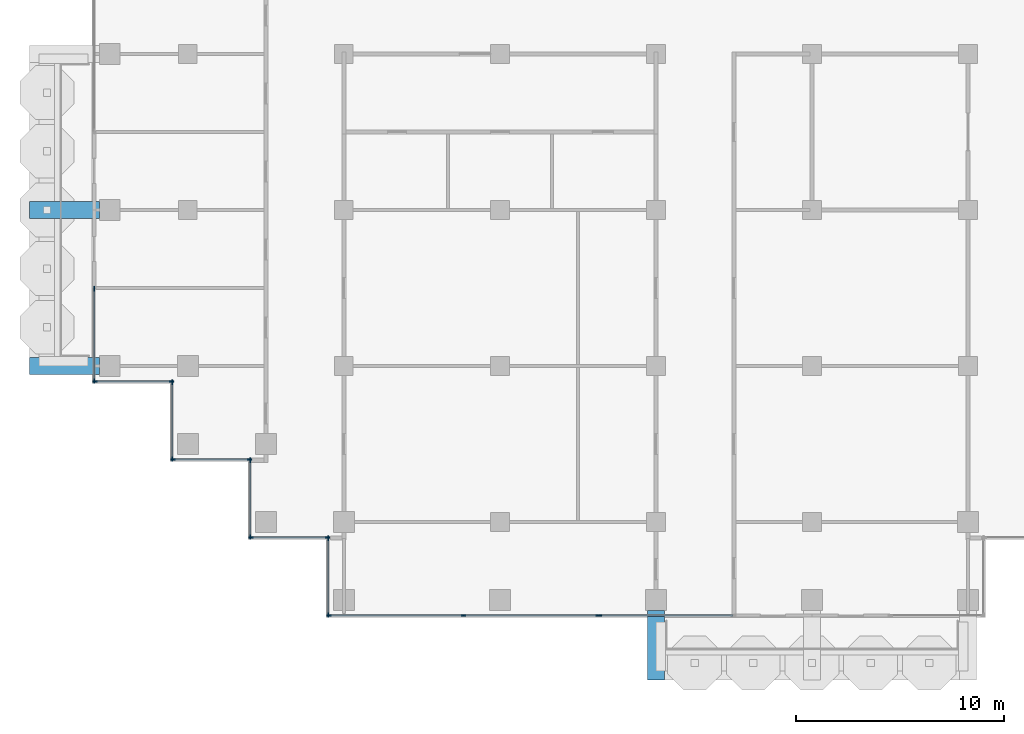
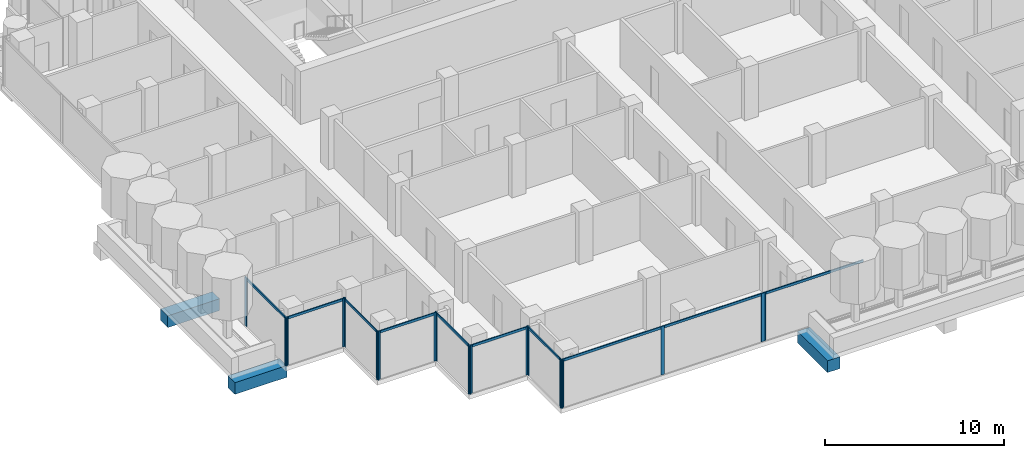
# One storey, part 2 of 19: 28 members, 3 beams, 9 elements without a shape of their own.
"""IFC4 building model written with IfcOpenShell, lengths in metres."""

from ifc_helpers import new_model, si_unit, direction, frame, origin, origin_2d, place, context, subcontext, project, spatial, rectangle, extrude, material, material_profile, profile_set, type_object, element, aggregate, save


model = new_model("IFC4")

# Units and contexts
model_context = context("Model", 3, precision=1e-05, world=origin(), true_north=direction((0.0, 1.0)))
body_context = subcontext(model_context, "Body", "Model", "MODEL_VIEW")
ifc_project = project(units=[si_unit("LENGTHUNIT", "METRE"), si_unit("AREAUNIT", "SQUARE_METRE"), si_unit("VOLUMEUNIT", "CUBIC_METRE"), si_unit("PLANEANGLEUNIT", "RADIAN"), si_unit("MASSUNIT", "GRAM", prefix="KILO")], contexts=[model_context])

# Site, building, storey
site_placement = place(None, origin())
site = spatial("IfcSite", under=ifc_project, at=site_placement, CompositionType="ELEMENT")
building_placement = place(site_placement, origin())
building = spatial("IfcBuilding", under=site, at=building_placement, Name="Pilkhan Gate Tower", CompositionType="ELEMENT")
storey_placement = place(building_placement, frame((0.0, 0.0, 224.699951171875)))
storey = spatial("IfcBuildingStorey", under=building, at=storey_placement, Name="L58", CompositionType="ELEMENT", Elevation=224.699951171875)

# Beams
ifc_material_1 = material(Name="Concrete C50/60", Category="concrete")
ifc_material_profile_1 = material_profile(ifc_material_1, rectangle(XDim=0.800048828125, YDim=0.800048828125, at=origin_2d()), Name="RC 800x800")
ifc_profile_set_1 = profile_set([ifc_material_profile_1], Name="Concrete C50/60")
beam_type = type_object("IfcBeamType", Name="Cantilever beam CB2 RC 800x800 C50/60", PredefinedType="BEAM", material=ifc_profile_set_1)
for number, where, z_axis, x_axis, name in (
    (1, (75.0, 40.75, -0.699951171875), (0.0, -1.0, 0.0), (1.0, 0.0, 0.0), "Balcony beam S.1 L58"),
    (2, (48.25, 52.5, -0.699951171875), (-1.0, 0.0, 0.0), (0.0, -1.0, 0.0), "Balcony beam W.1 L58"),
    (3, (48.25, 60.0, -0.699951171875), (-1.0, 0.0, 0.0), (0.0, -1.0, 0.0), "Balcony beam W.2 L58"),
):
    element("IfcBeam", number, at=place(storey_placement, frame(where, z_axis=z_axis, x_axis=x_axis)), inside=storey, type_object=beam_type, Name=name, PredefinedType="BEAM", context=body_context, shape_type="SweptSolid", body=[
        extrude(rectangle(XDim=0.800048828125, YDim=0.800048828125, at=origin_2d()), origin(), (0.0, 0.0, 1.0), 3.35009765625),
    ])

# Curtain wall, members
ifc_material_2 = material(Name="Pale anodised aluminium, clear low-iron double glazing", Category="aluminium")
curtain_wall_type = type_object("IfcCurtainWallType", Name="Office unitised curtain wall CW-O2", PredefinedType="USERDEFINED", material=ifc_material_2)
curtain_wall_1_placement = place(storey_placement, origin())
curtain_wall_1 = element("IfcCurtainWall", 4, at=curtain_wall_1_placement, inside=storey, type_object=curtain_wall_type, Name="Office unitised curtain wall CW-O2 L58 W", ObjectType="UNITISED CURTAIN WALL", PredefinedType="USERDEFINED")
ifc_material_3 = material(Name="Pale anodised aluminium", Category="aluminium")
ifc_material_profile_2 = material_profile(ifc_material_3, rectangle(XDim=0.06494140625, YDim=0.22509765625, at=origin_2d()), Name="Mullion 225x65")
ifc_profile_set_2 = profile_set([ifc_material_profile_2], Name="Pale anodised aluminium")
member_type_1 = type_object("IfcMemberType", Name="Mullion CW-O2 225x65", PredefinedType="MULLION", material=ifc_profile_set_2)
member_1_placement = place(storey_placement, frame((48.0, 51.782470703125, 0.0), z_axis=(0.0, 0.0, 1.0), x_axis=(-1.0, 0.0, 0.0)))
member_1 = element("IfcMember", 5, at=member_1_placement, type_object=member_type_1, Name="CW-O2 mullion 1", PredefinedType="MULLION", context=body_context, shape_type="SweptSolid", body=[
    extrude(rectangle(XDim=0.06494140625, YDim=0.22509765625, at=origin_2d()), origin(), (0.0, 0.0, 1.0), 3.300048828125),
])
member_2_placement = place(storey_placement, frame((48.0, 56.217529296875, 0.0), z_axis=(0.0, 0.0, 1.0), x_axis=(-1.0, 0.0, 0.0)))
member_2 = element("IfcMember", 6, at=member_2_placement, type_object=member_type_1, Name="CW-O2 mullion 2", PredefinedType="MULLION", context=body_context, shape_type="SweptSolid", body=[
    extrude(rectangle(XDim=0.06494140625, YDim=0.22509765625, at=origin_2d()), origin(), (0.0, 0.0, 1.0), 3.300048828125),
])

curtain_wall_2_placement = place(storey_placement, origin())
curtain_wall_2 = element("IfcCurtainWall", 7, at=curtain_wall_2_placement, inside=storey, type_object=curtain_wall_type, Name="Office unitised curtain wall CW-O2 L58 S", ObjectType="UNITISED CURTAIN WALL", PredefinedType="USERDEFINED")
member_3_placement = place(storey_placement, frame((48.032470703125, 51.75, 0.0), z_axis=(0.0, 0.0, 1.0), x_axis=(0.0, 1.0, 0.0)))
member_3 = element("IfcMember", 8, at=member_3_placement, type_object=member_type_1, Name="CW-O2 mullion 1", PredefinedType="MULLION", context=body_context, shape_type="SweptSolid", body=[
    extrude(rectangle(XDim=0.06494140625, YDim=0.22509765625, at=origin_2d()), origin(), (0.0, 0.0, 1.0), 3.300048828125),
])
member_4_placement = place(storey_placement, frame((51.717529296875, 51.75, 0.0), z_axis=(0.0, 0.0, 1.0), x_axis=(0.0, 1.0, 0.0)))
member_4 = element("IfcMember", 9, at=member_4_placement, type_object=member_type_1, Name="CW-O2 mullion 2", PredefinedType="MULLION", context=body_context, shape_type="SweptSolid", body=[
    extrude(rectangle(XDim=0.06494140625, YDim=0.22509765625, at=origin_2d()), origin(), (0.0, 0.0, 1.0), 3.300048828125),
])

curtain_wall_3_placement = place(storey_placement, origin())
curtain_wall_3 = element("IfcCurtainWall", 10, at=curtain_wall_3_placement, inside=storey, type_object=curtain_wall_type, Name="Office unitised curtain wall CW-O2 L58 W", ObjectType="UNITISED CURTAIN WALL", PredefinedType="USERDEFINED")
member_5_placement = place(storey_placement, frame((51.75, 48.032470703125, 0.0), z_axis=(0.0, 0.0, 1.0), x_axis=(-1.0, 0.0, 0.0)))
member_5 = element("IfcMember", 11, at=member_5_placement, type_object=member_type_1, Name="CW-O2 mullion 1", PredefinedType="MULLION", context=body_context, shape_type="SweptSolid", body=[
    extrude(rectangle(XDim=0.06494140625, YDim=0.22509765625, at=origin_2d()), origin(), (0.0, 0.0, 1.0), 3.300048828125),
])
member_6_placement = place(storey_placement, frame((51.75, 51.717529296875, 0.0), z_axis=(0.0, 0.0, 1.0), x_axis=(-1.0, 0.0, 0.0)))
member_6 = element("IfcMember", 12, at=member_6_placement, type_object=member_type_1, Name="CW-O2 mullion 2", PredefinedType="MULLION", context=body_context, shape_type="SweptSolid", body=[
    extrude(rectangle(XDim=0.06494140625, YDim=0.22509765625, at=origin_2d()), origin(), (0.0, 0.0, 1.0), 3.300048828125),
])

curtain_wall_4_placement = place(storey_placement, origin())
curtain_wall_4 = element("IfcCurtainWall", 13, at=curtain_wall_4_placement, inside=storey, type_object=curtain_wall_type, Name="Office unitised curtain wall CW-O2 L58 S", ObjectType="UNITISED CURTAIN WALL", PredefinedType="USERDEFINED")
member_7_placement = place(storey_placement, frame((51.782470703125, 48.0, 0.0), z_axis=(0.0, 0.0, 1.0), x_axis=(0.0, 1.0, 0.0)))
member_7 = element("IfcMember", 14, at=member_7_placement, type_object=member_type_1, Name="CW-O2 mullion 1", PredefinedType="MULLION", context=body_context, shape_type="SweptSolid", body=[
    extrude(rectangle(XDim=0.06494140625, YDim=0.22509765625, at=origin_2d()), origin(), (0.0, 0.0, 1.0), 3.300048828125),
])
member_8_placement = place(storey_placement, frame((55.467529296875, 48.0, 0.0), z_axis=(0.0, 0.0, 1.0), x_axis=(0.0, 1.0, 0.0)))
member_8 = element("IfcMember", 15, at=member_8_placement, type_object=member_type_1, Name="CW-O2 mullion 2", PredefinedType="MULLION", context=body_context, shape_type="SweptSolid", body=[
    extrude(rectangle(XDim=0.06494140625, YDim=0.22509765625, at=origin_2d()), origin(), (0.0, 0.0, 1.0), 3.300048828125),
])

curtain_wall_5_placement = place(storey_placement, origin())
curtain_wall_5 = element("IfcCurtainWall", 16, at=curtain_wall_5_placement, inside=storey, type_object=curtain_wall_type, Name="Office unitised curtain wall CW-O2 L58 W", ObjectType="UNITISED CURTAIN WALL", PredefinedType="USERDEFINED")
member_9_placement = place(storey_placement, frame((55.5, 44.282470703125, 0.0), z_axis=(0.0, 0.0, 1.0), x_axis=(-1.0, 0.0, 0.0)))
member_9 = element("IfcMember", 17, at=member_9_placement, type_object=member_type_1, Name="CW-O2 mullion 1", PredefinedType="MULLION", context=body_context, shape_type="SweptSolid", body=[
    extrude(rectangle(XDim=0.06494140625, YDim=0.22509765625, at=origin_2d()), origin(), (0.0, 0.0, 1.0), 3.300048828125),
])
member_10_placement = place(storey_placement, frame((55.5, 47.967529296875, 0.0), z_axis=(0.0, 0.0, 1.0), x_axis=(-1.0, 0.0, 0.0)))
member_10 = element("IfcMember", 18, at=member_10_placement, type_object=member_type_1, Name="CW-O2 mullion 2", PredefinedType="MULLION", context=body_context, shape_type="SweptSolid", body=[
    extrude(rectangle(XDim=0.06494140625, YDim=0.22509765625, at=origin_2d()), origin(), (0.0, 0.0, 1.0), 3.300048828125),
])

curtain_wall_6_placement = place(storey_placement, origin())
curtain_wall_6 = element("IfcCurtainWall", 19, at=curtain_wall_6_placement, inside=storey, type_object=curtain_wall_type, Name="Office unitised curtain wall CW-O2 L58 S", ObjectType="UNITISED CURTAIN WALL", PredefinedType="USERDEFINED")
member_11_placement = place(storey_placement, frame((55.532470703125, 44.25, 0.0), z_axis=(0.0, 0.0, 1.0), x_axis=(0.0, 1.0, 0.0)))
member_11 = element("IfcMember", 20, at=member_11_placement, type_object=member_type_1, Name="CW-O2 mullion 1", PredefinedType="MULLION", context=body_context, shape_type="SweptSolid", body=[
    extrude(rectangle(XDim=0.06494140625, YDim=0.22509765625, at=origin_2d()), origin(), (0.0, 0.0, 1.0), 3.300048828125),
])
member_12_placement = place(storey_placement, frame((59.217529296875, 44.25, 0.0), z_axis=(0.0, 0.0, 1.0), x_axis=(0.0, 1.0, 0.0)))
member_12 = element("IfcMember", 21, at=member_12_placement, type_object=member_type_1, Name="CW-O2 mullion 2", PredefinedType="MULLION", context=body_context, shape_type="SweptSolid", body=[
    extrude(rectangle(XDim=0.06494140625, YDim=0.22509765625, at=origin_2d()), origin(), (0.0, 0.0, 1.0), 3.300048828125),
])

curtain_wall_7_placement = place(storey_placement, origin())
curtain_wall_7 = element("IfcCurtainWall", 22, at=curtain_wall_7_placement, inside=storey, type_object=curtain_wall_type, Name="Office unitised curtain wall CW-O2 L58 W", ObjectType="UNITISED CURTAIN WALL", PredefinedType="USERDEFINED")
member_13_placement = place(storey_placement, frame((59.25, 40.532470703125, 0.0), z_axis=(0.0, 0.0, 1.0), x_axis=(-1.0, 0.0, 0.0)))
member_13 = element("IfcMember", 23, at=member_13_placement, type_object=member_type_1, Name="CW-O2 mullion 1", PredefinedType="MULLION", context=body_context, shape_type="SweptSolid", body=[
    extrude(rectangle(XDim=0.06494140625, YDim=0.22509765625, at=origin_2d()), origin(), (0.0, 0.0, 1.0), 3.300048828125),
])
member_14_placement = place(storey_placement, frame((59.25, 44.217529296875, 0.0), z_axis=(0.0, 0.0, 1.0), x_axis=(-1.0, 0.0, 0.0)))
member_14 = element("IfcMember", 24, at=member_14_placement, type_object=member_type_1, Name="CW-O2 mullion 2", PredefinedType="MULLION", context=body_context, shape_type="SweptSolid", body=[
    extrude(rectangle(XDim=0.06494140625, YDim=0.22509765625, at=origin_2d()), origin(), (0.0, 0.0, 1.0), 3.300048828125),
])

curtain_wall_8_placement = place(storey_placement, origin())
curtain_wall_8 = element("IfcCurtainWall", 25, at=curtain_wall_8_placement, inside=storey, type_object=curtain_wall_type, Name="Office unitised curtain wall CW-O2 L58 S", ObjectType="UNITISED CURTAIN WALL", PredefinedType="USERDEFINED")
member_15_placement = place(storey_placement, frame((59.282470703125, 40.5, 0.0), z_axis=(0.0, 0.0, 1.0), x_axis=(0.0, 1.0, 0.0)))
member_15 = element("IfcMember", 26, at=member_15_placement, type_object=member_type_1, Name="CW-O2 mullion 1", PredefinedType="MULLION", context=body_context, shape_type="SweptSolid", body=[
    extrude(rectangle(XDim=0.06494140625, YDim=0.22509765625, at=origin_2d()), origin(), (0.0, 0.0, 1.0), 3.300048828125),
])
member_16_placement = place(storey_placement, frame((65.75, 40.5, 0.0), z_axis=(0.0, 0.0, 1.0), x_axis=(0.0, 1.0, 0.0)))
member_16 = element("IfcMember", 27, at=member_16_placement, type_object=member_type_1, Name="CW-O2 mullion 2", PredefinedType="MULLION", context=body_context, shape_type="SweptSolid", body=[
    extrude(rectangle(XDim=0.06494140625, YDim=0.22509765625, at=origin_2d()), origin(), (0.0, 0.0, 1.0), 3.300048828125),
])
member_17_placement = place(storey_placement, frame((72.217529296875, 40.5, 0.0), z_axis=(0.0, 0.0, 1.0), x_axis=(0.0, 1.0, 0.0)))
member_17 = element("IfcMember", 28, at=member_17_placement, type_object=member_type_1, Name="CW-O2 mullion 3", PredefinedType="MULLION", context=body_context, shape_type="SweptSolid", body=[
    extrude(rectangle(XDim=0.06494140625, YDim=0.22509765625, at=origin_2d()), origin(), (0.0, 0.0, 1.0), 3.300048828125),
])

# Curtain wall, member
curtain_wall_9_placement = place(storey_placement, origin())
curtain_wall_9 = element("IfcCurtainWall", 29, at=curtain_wall_9_placement, inside=storey, type_object=curtain_wall_type, Name="Office unitised curtain wall CW-O2 L58 S", ObjectType="UNITISED CURTAIN WALL", PredefinedType="USERDEFINED")
member_18_placement = place(storey_placement, frame((72.282470703125, 40.5, 0.0), z_axis=(0.0, 0.0, 1.0), x_axis=(0.0, 1.0, 0.0)))
member_18 = element("IfcMember", 30, at=member_18_placement, type_object=member_type_1, Name="CW-O2 mullion 1", PredefinedType="MULLION", context=body_context, shape_type="SweptSolid", body=[
    extrude(rectangle(XDim=0.06494140625, YDim=0.22509765625, at=origin_2d()), origin(), (0.0, 0.0, 1.0), 3.300048828125),
])

# Member
ifc_material_profile_3 = material_profile(ifc_material_3, rectangle(XDim=0.06494140625, YDim=0.1650390625, at=origin_2d()), Name="Transom 165x65")
ifc_profile_set_3 = profile_set([ifc_material_profile_3], Name="Pale anodised aluminium")
member_type_2 = type_object("IfcMemberType", Name="Transom CW-O2 165x65", PredefinedType="USERDEFINED", material=ifc_profile_set_3)
member_19_placement = place(storey_placement, frame((48.0, 51.81494140625, 3.217529296875), z_axis=(0.0, 1.0, 0.0), x_axis=(-1.0, 0.0, 0.0)))
member_19 = element("IfcMember", 31, at=member_19_placement, type_object=member_type_2, Name="CW-O2 transom 1", ObjectType="TRANSOM", PredefinedType="USERDEFINED", context=body_context, shape_type="SweptSolid", body=[
    extrude(rectangle(XDim=0.06494140625, YDim=0.1650390625, at=origin_2d()), origin(), (0.0, 0.0, 1.0), 4.3701171875),
])

aggregate(curtain_wall_1, [member_1, member_2, member_19])

member_20_placement = place(storey_placement, frame((48.06494140625, 51.75, 3.217529296875), z_axis=(1.0, 0.0, 0.0), x_axis=(0.0, 1.0, 0.0)))
member_20 = element("IfcMember", 32, at=member_20_placement, type_object=member_type_2, Name="CW-O2 transom 1", ObjectType="TRANSOM", PredefinedType="USERDEFINED", context=body_context, shape_type="SweptSolid", body=[
    extrude(rectangle(XDim=0.06494140625, YDim=0.1650390625, at=origin_2d()), origin(), (0.0, 0.0, 1.0), 3.6201171875),
])

aggregate(curtain_wall_2, [member_3, member_4, member_20])

member_21_placement = place(storey_placement, frame((51.75, 48.06494140625, 3.217529296875), z_axis=(0.0, 1.0, 0.0), x_axis=(-1.0, 0.0, 0.0)))
member_21 = element("IfcMember", 33, at=member_21_placement, type_object=member_type_2, Name="CW-O2 transom 1", ObjectType="TRANSOM", PredefinedType="USERDEFINED", context=body_context, shape_type="SweptSolid", body=[
    extrude(rectangle(XDim=0.06494140625, YDim=0.1650390625, at=origin_2d()), origin(), (0.0, 0.0, 1.0), 3.6201171875),
])

aggregate(curtain_wall_3, [member_5, member_6, member_21])

member_22_placement = place(storey_placement, frame((51.81494140625, 48.0, 3.217529296875), z_axis=(1.0, 0.0, 0.0), x_axis=(0.0, 1.0, 0.0)))
member_22 = element("IfcMember", 34, at=member_22_placement, type_object=member_type_2, Name="CW-O2 transom 1", ObjectType="TRANSOM", PredefinedType="USERDEFINED", context=body_context, shape_type="SweptSolid", body=[
    extrude(rectangle(XDim=0.06494140625, YDim=0.1650390625, at=origin_2d()), origin(), (0.0, 0.0, 1.0), 3.6201171875),
])

aggregate(curtain_wall_4, [member_7, member_8, member_22])

member_23_placement = place(storey_placement, frame((55.5, 44.31494140625, 3.217529296875), z_axis=(0.0, 1.0, 0.0), x_axis=(-1.0, 0.0, 0.0)))
member_23 = element("IfcMember", 35, at=member_23_placement, type_object=member_type_2, Name="CW-O2 transom 1", ObjectType="TRANSOM", PredefinedType="USERDEFINED", context=body_context, shape_type="SweptSolid", body=[
    extrude(rectangle(XDim=0.06494140625, YDim=0.1650390625, at=origin_2d()), origin(), (0.0, 0.0, 1.0), 3.6201171875),
])

aggregate(curtain_wall_5, [member_9, member_10, member_23])

member_24_placement = place(storey_placement, frame((55.56494140625, 44.25, 3.217529296875), z_axis=(1.0, 0.0, 0.0), x_axis=(0.0, 1.0, 0.0)))
member_24 = element("IfcMember", 36, at=member_24_placement, type_object=member_type_2, Name="CW-O2 transom 1", ObjectType="TRANSOM", PredefinedType="USERDEFINED", context=body_context, shape_type="SweptSolid", body=[
    extrude(rectangle(XDim=0.06494140625, YDim=0.1650390625, at=origin_2d()), origin(), (0.0, 0.0, 1.0), 3.6201171875),
])

aggregate(curtain_wall_6, [member_11, member_12, member_24])

member_25_placement = place(storey_placement, frame((59.25, 40.56494140625, 3.217529296875), z_axis=(0.0, 1.0, 0.0), x_axis=(-1.0, 0.0, 0.0)))
member_25 = element("IfcMember", 37, at=member_25_placement, type_object=member_type_2, Name="CW-O2 transom 1", ObjectType="TRANSOM", PredefinedType="USERDEFINED", context=body_context, shape_type="SweptSolid", body=[
    extrude(rectangle(XDim=0.06494140625, YDim=0.1650390625, at=origin_2d()), origin(), (0.0, 0.0, 1.0), 3.6201171875),
])

aggregate(curtain_wall_7, [member_13, member_14, member_25])

member_26_placement = place(storey_placement, frame((59.31494140625, 40.5, 3.217529296875), z_axis=(1.0, 0.0, 0.0), x_axis=(0.0, 1.0, 0.0)))
member_26 = element("IfcMember", 38, at=member_26_placement, type_object=member_type_2, Name="CW-O2 transom 1", ObjectType="TRANSOM", PredefinedType="USERDEFINED", context=body_context, shape_type="SweptSolid", body=[
    extrude(rectangle(XDim=0.06494140625, YDim=0.1650390625, at=origin_2d()), origin(), (0.0, 0.0, 1.0), 6.402587890625),
])

member_27_placement = place(storey_placement, frame((65.782470703125, 40.5, 3.217529296875), z_axis=(1.0, 0.0, 0.0), x_axis=(0.0, 1.0, 0.0)))
member_27 = element("IfcMember", 39, at=member_27_placement, type_object=member_type_2, Name="CW-O2 transom 2", ObjectType="TRANSOM", PredefinedType="USERDEFINED", context=body_context, shape_type="SweptSolid", body=[
    extrude(rectangle(XDim=0.06494140625, YDim=0.1650390625, at=origin_2d()), origin(), (0.0, 0.0, 1.0), 6.402587890625),
])

aggregate(curtain_wall_8, [member_15, member_16, member_17, member_26, member_27])

member_28_placement = place(storey_placement, frame((72.31494140625, 40.5, 3.217529296875), z_axis=(1.0, 0.0, 0.0), x_axis=(0.0, 1.0, 0.0)))
member_28 = element("IfcMember", 40, at=member_28_placement, type_object=member_type_2, Name="CW-O2 transom 1", ObjectType="TRANSOM", PredefinedType="USERDEFINED", context=body_context, shape_type="SweptSolid", body=[
    extrude(rectangle(XDim=0.06494140625, YDim=0.1650390625, at=origin_2d()), origin(), (0.0, 0.0, 1.0), 6.3701171875),
])

aggregate(curtain_wall_9, [member_18, member_28])

save(model, "model.ifc")
